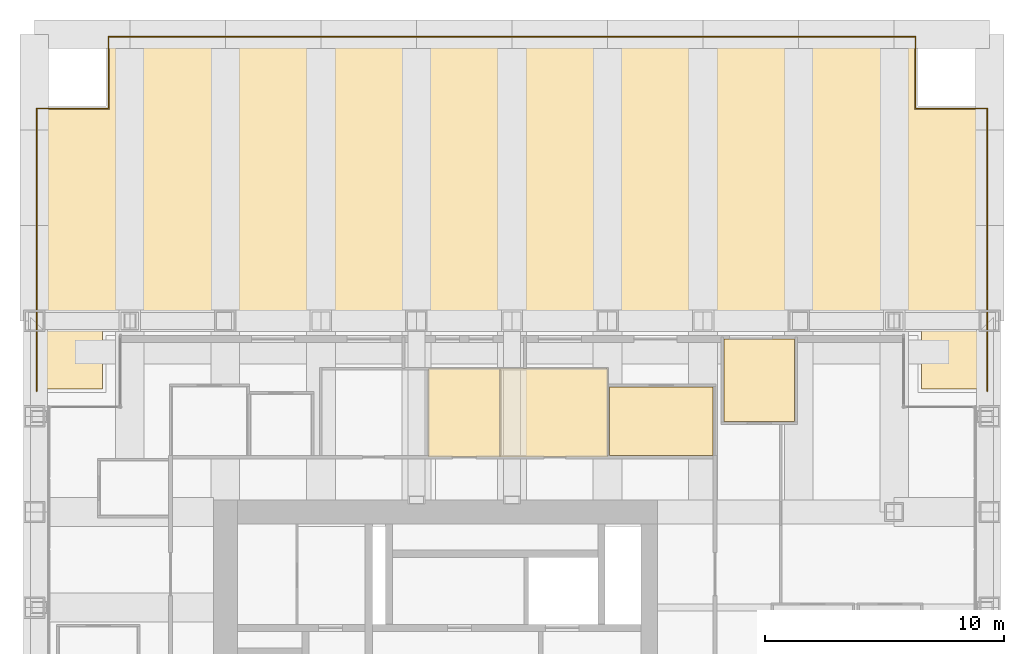
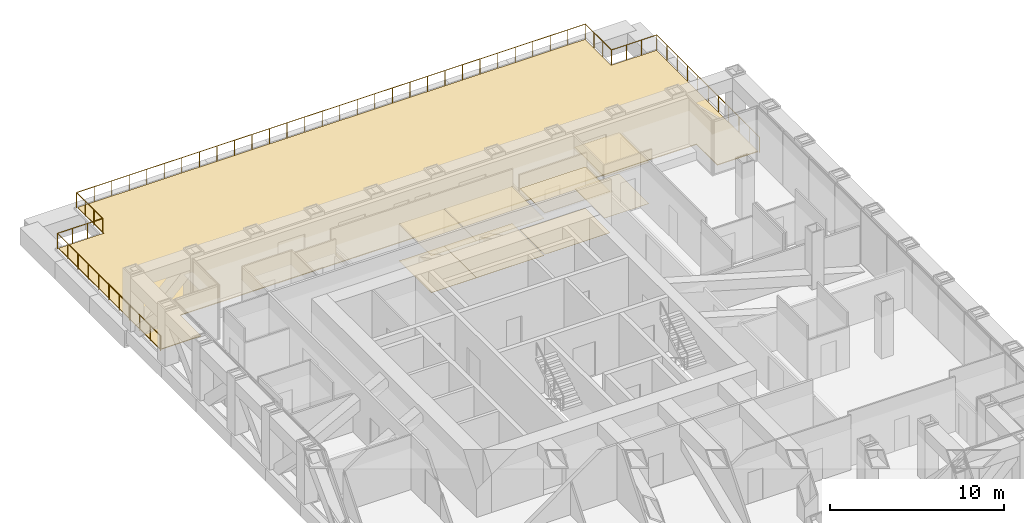
# One storey, part 16 of 17: 9 coverings, 1 railing.
"""IFC4 building model written with IfcOpenShell, lengths in metres."""

from ifc_helpers import new_model, si_unit, direction, frame, origin, origin_2d, place, context, subcontext, project, spatial, polyline, circle, outline, extrude, material, layer, layer_set, type_object, element, save


model = new_model("IFC4")

# Units and contexts
model_context = context("Model", 3, precision=1e-05, world=origin(), true_north=direction((0.0, 1.0)))
body_context = subcontext(model_context, "Body", "Model", "MODEL_VIEW")
ifc_project = project(units=[si_unit("LENGTHUNIT", "METRE"), si_unit("AREAUNIT", "SQUARE_METRE"), si_unit("VOLUMEUNIT", "CUBIC_METRE"), si_unit("PLANEANGLEUNIT", "RADIAN"), si_unit("MASSUNIT", "GRAM", prefix="KILO")], contexts=[model_context])

# Site, building, storey
site_placement = place(None, origin())
site = spatial("IfcSite", under=ifc_project, at=site_placement, CompositionType="ELEMENT")
building_placement = place(site_placement, origin())
building = spatial("IfcBuilding", under=site, at=building_placement, Name="Rimbunsela Tower", CompositionType="ELEMENT")
storey_placement = place(building_placement, frame((0.0, 0.0, 238.199951171875)))
storey = spatial("IfcBuildingStorey", under=building, at=storey_placement, Name="L57", CompositionType="ELEMENT", Elevation=238.199951171875)

# Coverings
ifc_material_1 = material(Name="Nylon carpet tile", Category="textile")
ifc_layer_1 = layer(ifc_material_1, 0.010009765625)
ifc_layer_set_1 = layer_set([ifc_layer_1], Name="Carpet tile 10")
covering_type_1 = type_object("IfcCoveringType", Name="Carpet tile 10", PredefinedType="FLOORING", material=ifc_layer_set_1)
covering_1_placement = place(storey_placement, origin())
element("IfcCovering", 1, at=covering_1_placement, inside=storey, type_object=covering_type_1, Name="Floor finish Interview room", PredefinedType="FLOORING", context=body_context, shape_type="SweptSolid", body=[
    extrude(outline(polyline([(38.425048828125, 38.375), (38.425048828125, 41.22509765625), (34.074951171875, 41.22509765625), (34.074951171875, 38.375), (38.425048828125, 38.375)])), origin(), (0.0, 0.0, 1.0), 0.010009765625),
])
covering_2_placement = place(storey_placement, origin())
element("IfcCovering", 2, at=covering_2_placement, inside=storey, type_object=covering_type_1, Name="Floor finish Office", PredefinedType="FLOORING", context=body_context, shape_type="SweptSolid", body=[
    extrude(outline(polyline([(41.824951171875, 39.794921875), (41.824951171875, 43.2451171875), (38.875, 43.2451171875), (38.875, 39.794921875), (41.824951171875, 39.794921875)])), origin(), (0.0, 0.0, 1.0), 0.010009765625),
])
ifc_material_2 = material(Name="Mineral fibre ceiling tile", Category="gypsum")
ifc_layer_2 = layer(ifc_material_2, 0.02001953125)
ifc_layer_set_2 = layer_set([ifc_layer_2], Name="Ceiling 600 grid")
covering_type_2 = type_object("IfcCoveringType", Name="Ceiling 600 grid", PredefinedType="CEILING", material=ifc_layer_set_2)
covering_3_placement = place(storey_placement, frame((0.0, 0.0, 2.900146484375)))
element("IfcCovering", 3, at=covering_3_placement, inside=storey, type_object=covering_type_2, Name="Ceiling Interview room", PredefinedType="CEILING", context=body_context, shape_type="SweptSolid", body=[
    extrude(outline(polyline([(38.425048828125, 38.375), (38.425048828125, 41.22509765625), (34.074951171875, 41.22509765625), (34.074951171875, 38.375), (38.425048828125, 38.375)])), origin(), (0.0, 0.0, 1.0), 0.02001953125),
])
covering_4_placement = place(storey_placement, frame((0.0, 0.0, 2.900146484375)))
element("IfcCovering", 4, at=covering_4_placement, inside=storey, type_object=covering_type_2, Name="Ceiling Office", PredefinedType="CEILING", context=body_context, shape_type="SweptSolid", body=[
    extrude(outline(polyline([(41.824951171875, 39.794921875), (41.824951171875, 43.2451171875), (38.875, 43.2451171875), (38.875, 39.794921875), (41.824951171875, 39.794921875)])), origin(), (0.0, 0.0, 1.0), 0.02001953125),
])
ifc_material_3 = material(Name="Moisture-resistant plasterboard ceiling", Category="gypsum")
ifc_layer_3 = layer(ifc_material_3, 0.012451171875)
ifc_layer_set_3 = layer_set([ifc_layer_3], Name="Ceiling moisture-resistant board")
covering_type_3 = type_object("IfcCoveringType", Name="Ceiling moisture-resistant board", PredefinedType="CEILING", material=ifc_layer_set_3)
covering_5_placement = place(storey_placement, frame((0.0, 0.0, 2.60009765625)))
element("IfcCovering", 5, at=covering_5_placement, inside=storey, type_object=covering_type_3, Name="Ceiling Accessible WC", PredefinedType="CEILING", context=body_context, shape_type="SweptSolid", body=[
    extrude(outline(polyline([(29.5, 38.300048828125), (29.5, 42.0), (26.5, 42.0), (26.5, 38.300048828125), (29.5, 38.300048828125)])), origin(), (0.0, 0.0, 1.0), 0.02001953125),
])
covering_6_placement = place(storey_placement, frame((0.0, 0.0, 2.60009765625)))
element("IfcCovering", 6, at=covering_6_placement, inside=storey, type_object=covering_type_3, Name="Ceiling Male WC", PredefinedType="CEILING", context=body_context, shape_type="SweptSolid", body=[
    extrude(outline(polyline([(34.0, 38.300048828125), (34.0, 42.0), (29.5, 42.0), (29.5, 38.300048828125), (34.0, 38.300048828125)])), origin(), (0.0, 0.0, 1.0), 0.02001953125),
])
ifc_material_4 = material(Name="Porcelain floor tile in adhesive bed", Category="ceramic")
ifc_layer_4 = layer(ifc_material_4, 0.02001953125)
ifc_layer_set_4 = layer_set([ifc_layer_4], Name="Porcelain tile 20")
covering_type_4 = type_object("IfcCoveringType", Name="Porcelain tile 20", PredefinedType="FLOORING", material=ifc_layer_set_4)
covering_7_placement = place(storey_placement, origin())
element("IfcCovering", 7, at=covering_7_placement, inside=storey, type_object=covering_type_4, Name="Floor finish Accessible WC", PredefinedType="FLOORING", context=body_context, shape_type="SweptSolid", body=[
    extrude(outline(polyline([(29.5, 38.300048828125), (29.5, 42.0), (26.5, 42.0), (26.5, 38.300048828125), (29.5, 38.300048828125)])), origin(), (0.0, 0.0, 1.0), 0.02001953125),
])
covering_8_placement = place(storey_placement, origin())
element("IfcCovering", 8, at=covering_8_placement, inside=storey, type_object=covering_type_4, Name="Floor finish Male WC", PredefinedType="FLOORING", context=body_context, shape_type="SweptSolid", body=[
    extrude(outline(polyline([(34.0, 38.300048828125), (34.0, 42.0), (29.5, 42.0), (29.5, 38.300048828125), (34.0, 38.300048828125)])), origin(), (0.0, 0.0, 1.0), 0.02001953125),
])

# Railing
ifc_material_5 = material(Name="Laminated glass balustrade", Category="glass")
railing_type = type_object("IfcRailingType", Name="Terrace guard 1100", PredefinedType="GUARDRAIL", material=ifc_material_5)
railing_placement = place(storey_placement, frame((10.10009765625, 41.050048828125, 0.0)))
element("IfcRailing", 9, at=railing_placement, inside=storey, type_object=railing_type, Name="Terrace guard L57", PredefinedType="GUARDRAIL", context=body_context, shape_type="SweptSolid", body=[
    extrude(circle(Radius=0.02392578125, at=origin_2d()), frame((0.0, 0.0, 1.076171875), z_axis=(0.0, 1.0, 0.0), x_axis=(-1.0, 0.0, 0.0)), (0.0, 0.0, 1.0), 11.849853515625),
    extrude(circle(Radius=0.02392578125, at=origin_2d()), frame((0.0, 11.849853515625, 1.076171875), z_axis=(1.0, 0.0, 0.0), x_axis=(0.0, 1.0, 0.0)), (0.0, 0.0, 1.0), 3.0),
    extrude(circle(Radius=0.02392578125, at=origin_2d()), frame((3.0, 11.849853515625, 1.076171875), z_axis=(0.0, 1.0, 0.0), x_axis=(-1.0, 0.0, 0.0)), (0.0, 0.0, 1.0), 3.0),
    extrude(circle(Radius=0.02392578125, at=origin_2d()), frame((3.0, 14.849853515625, 1.076171875), z_axis=(1.0, 0.0, 0.0), x_axis=(0.0, 1.0, 0.0)), (0.0, 0.0, 1.0), 33.7998046875),
    extrude(circle(Radius=0.02392578125, at=origin_2d()), frame((36.7998046875, 14.849853515625, 1.076171875), z_axis=(0.0, -1.0, 0.0), x_axis=(1.0, 0.0, 0.0)), (0.0, 0.0, 1.0), 3.0),
    extrude(circle(Radius=0.02392578125, at=origin_2d()), frame((36.7998046875, 11.849853515625, 1.076171875), z_axis=(1.0, 0.0, 0.0), x_axis=(0.0, 1.0, 0.0)), (0.0, 0.0, 1.0), 3.0),
    extrude(circle(Radius=0.02392578125, at=origin_2d()), frame((39.7998046875, 11.849853515625, 1.076171875), z_axis=(0.0, -1.0, 0.0), x_axis=(1.0, 0.0, 0.0)), (0.0, 0.0, 1.0), 11.849853515625),
    extrude(circle(Radius=0.02099609375, at=origin_2d()), origin(), (0.0, 0.0, 1.0), 1.052001953125),
    extrude(circle(Radius=0.02099609375, at=origin_2d()), frame((0.0, 1.18505859375, 0.0)), (0.0, 0.0, 1.0), 1.052001953125),
    extrude(circle(Radius=0.02099609375, at=origin_2d()), frame((0.0, 2.369873046875, 0.0)), (0.0, 0.0, 1.0), 1.052001953125),
    extrude(circle(Radius=0.02099609375, at=origin_2d()), frame((0.0, 3.554931640625, 0.0)), (0.0, 0.0, 1.0), 1.052001953125),
    extrude(circle(Radius=0.02099609375, at=origin_2d()), frame((0.0, 4.739990234375, 0.0)), (0.0, 0.0, 1.0), 1.052001953125),
    extrude(circle(Radius=0.02099609375, at=origin_2d()), frame((0.0, 5.9248046875, 0.0)), (0.0, 0.0, 1.0), 1.052001953125),
    extrude(circle(Radius=0.02099609375, at=origin_2d()), frame((0.0, 7.10986328125, 0.0)), (0.0, 0.0, 1.0), 1.052001953125),
    extrude(circle(Radius=0.02099609375, at=origin_2d()), frame((0.0, 8.294921875, 0.0)), (0.0, 0.0, 1.0), 1.052001953125),
    extrude(circle(Radius=0.02099609375, at=origin_2d()), frame((0.0, 9.47998046875, 0.0)), (0.0, 0.0, 1.0), 1.052001953125),
    extrude(circle(Radius=0.02099609375, at=origin_2d()), frame((0.0, 10.664794921875, 0.0)), (0.0, 0.0, 1.0), 1.052001953125),
    extrude(circle(Radius=0.02099609375, at=origin_2d()), frame((0.0, 11.849853515625, 0.0)), (0.0, 0.0, 1.0), 1.052001953125),
    extrude(circle(Radius=0.02099609375, at=origin_2d()), frame((1.0, 11.849853515625, 0.0)), (0.0, 0.0, 1.0), 1.052001953125),
    extrude(circle(Radius=0.02099609375, at=origin_2d()), frame((2.0, 11.849853515625, 0.0)), (0.0, 0.0, 1.0), 1.052001953125),
    extrude(circle(Radius=0.02099609375, at=origin_2d()), frame((3.0, 11.849853515625, 0.0)), (0.0, 0.0, 1.0), 1.052001953125),
    extrude(circle(Radius=0.02099609375, at=origin_2d()), frame((3.0, 12.849853515625, 0.0)), (0.0, 0.0, 1.0), 1.052001953125),
    extrude(circle(Radius=0.02099609375, at=origin_2d()), frame((3.0, 13.849853515625, 0.0)), (0.0, 0.0, 1.0), 1.052001953125),
    extrude(circle(Radius=0.02099609375, at=origin_2d()), frame((3.0, 14.849853515625, 0.0)), (0.0, 0.0, 1.0), 1.052001953125),
    extrude(circle(Radius=0.02099609375, at=origin_2d()), frame((4.16552734375, 14.849853515625, 0.0)), (0.0, 0.0, 1.0), 1.052001953125),
    extrude(circle(Radius=0.02099609375, at=origin_2d()), frame((5.3310546875, 14.849853515625, 0.0)), (0.0, 0.0, 1.0), 1.052001953125),
    extrude(circle(Radius=0.02099609375, at=origin_2d()), frame((6.49658203125, 14.849853515625, 0.0)), (0.0, 0.0, 1.0), 1.052001953125),
    extrude(circle(Radius=0.02099609375, at=origin_2d()), frame((7.662109375, 14.849853515625, 0.0)), (0.0, 0.0, 1.0), 1.052001953125),
    extrude(circle(Radius=0.02099609375, at=origin_2d()), frame((8.82763671875, 14.849853515625, 0.0)), (0.0, 0.0, 1.0), 1.052001953125),
    extrude(circle(Radius=0.02099609375, at=origin_2d()), frame((9.9931640625, 14.849853515625, 0.0)), (0.0, 0.0, 1.0), 1.052001953125),
    extrude(circle(Radius=0.02099609375, at=origin_2d()), frame((11.15869140625, 14.849853515625, 0.0)), (0.0, 0.0, 1.0), 1.052001953125),
    extrude(circle(Radius=0.02099609375, at=origin_2d()), frame((12.323974609375, 14.849853515625, 0.0)), (0.0, 0.0, 1.0), 1.052001953125),
    extrude(circle(Radius=0.02099609375, at=origin_2d()), frame((13.489501953125, 14.849853515625, 0.0)), (0.0, 0.0, 1.0), 1.052001953125),
    extrude(circle(Radius=0.02099609375, at=origin_2d()), frame((14.655029296875, 14.849853515625, 0.0)), (0.0, 0.0, 1.0), 1.052001953125),
    extrude(circle(Radius=0.02099609375, at=origin_2d()), frame((15.820556640625, 14.849853515625, 0.0)), (0.0, 0.0, 1.0), 1.052001953125),
    extrude(circle(Radius=0.02099609375, at=origin_2d()), frame((16.986083984375, 14.849853515625, 0.0)), (0.0, 0.0, 1.0), 1.052001953125),
    extrude(circle(Radius=0.02099609375, at=origin_2d()), frame((18.151611328125, 14.849853515625, 0.0)), (0.0, 0.0, 1.0), 1.052001953125),
    extrude(circle(Radius=0.02099609375, at=origin_2d()), frame((19.317138671875, 14.849853515625, 0.0)), (0.0, 0.0, 1.0), 1.052001953125),
    extrude(circle(Radius=0.02099609375, at=origin_2d()), frame((20.482666015625, 14.849853515625, 0.0)), (0.0, 0.0, 1.0), 1.052001953125),
    extrude(circle(Radius=0.02099609375, at=origin_2d()), frame((21.648193359375, 14.849853515625, 0.0)), (0.0, 0.0, 1.0), 1.052001953125),
    extrude(circle(Radius=0.02099609375, at=origin_2d()), frame((22.813720703125, 14.849853515625, 0.0)), (0.0, 0.0, 1.0), 1.052001953125),
    extrude(circle(Radius=0.02099609375, at=origin_2d()), frame((23.979248046875, 14.849853515625, 0.0)), (0.0, 0.0, 1.0), 1.052001953125),
    extrude(circle(Radius=0.02099609375, at=origin_2d()), frame((25.144775390625, 14.849853515625, 0.0)), (0.0, 0.0, 1.0), 1.052001953125),
    extrude(circle(Radius=0.02099609375, at=origin_2d()), frame((26.310302734375, 14.849853515625, 0.0)), (0.0, 0.0, 1.0), 1.052001953125),
    extrude(circle(Radius=0.02099609375, at=origin_2d()), frame((27.475830078125, 14.849853515625, 0.0)), (0.0, 0.0, 1.0), 1.052001953125),
    extrude(circle(Radius=0.02099609375, at=origin_2d()), frame((28.64111328125, 14.849853515625, 0.0)), (0.0, 0.0, 1.0), 1.052001953125),
    extrude(circle(Radius=0.02099609375, at=origin_2d()), frame((29.806640625, 14.849853515625, 0.0)), (0.0, 0.0, 1.0), 1.052001953125),
    extrude(circle(Radius=0.02099609375, at=origin_2d()), frame((30.97216796875, 14.849853515625, 0.0)), (0.0, 0.0, 1.0), 1.052001953125),
    extrude(circle(Radius=0.02099609375, at=origin_2d()), frame((32.1376953125, 14.849853515625, 0.0)), (0.0, 0.0, 1.0), 1.052001953125),
    extrude(circle(Radius=0.02099609375, at=origin_2d()), frame((33.30322265625, 14.849853515625, 0.0)), (0.0, 0.0, 1.0), 1.052001953125),
    extrude(circle(Radius=0.02099609375, at=origin_2d()), frame((34.46875, 14.849853515625, 0.0)), (0.0, 0.0, 1.0), 1.052001953125),
    extrude(circle(Radius=0.02099609375, at=origin_2d()), frame((35.63427734375, 14.849853515625, 0.0)), (0.0, 0.0, 1.0), 1.052001953125),
    extrude(circle(Radius=0.02099609375, at=origin_2d()), frame((36.7998046875, 14.849853515625, 0.0)), (0.0, 0.0, 1.0), 1.052001953125),
    extrude(circle(Radius=0.02099609375, at=origin_2d()), frame((36.7998046875, 13.849853515625, 0.0)), (0.0, 0.0, 1.0), 1.052001953125),
    extrude(circle(Radius=0.02099609375, at=origin_2d()), frame((36.7998046875, 12.849853515625, 0.0)), (0.0, 0.0, 1.0), 1.052001953125),
    extrude(circle(Radius=0.02099609375, at=origin_2d()), frame((36.7998046875, 11.849853515625, 0.0)), (0.0, 0.0, 1.0), 1.052001953125),
    extrude(circle(Radius=0.02099609375, at=origin_2d()), frame((37.7998046875, 11.849853515625, 0.0)), (0.0, 0.0, 1.0), 1.052001953125),
    extrude(circle(Radius=0.02099609375, at=origin_2d()), frame((38.7998046875, 11.849853515625, 0.0)), (0.0, 0.0, 1.0), 1.052001953125),
    extrude(circle(Radius=0.02099609375, at=origin_2d()), frame((39.7998046875, 11.849853515625, 0.0)), (0.0, 0.0, 1.0), 1.052001953125),
    extrude(circle(Radius=0.02099609375, at=origin_2d()), frame((39.7998046875, 10.664794921875, 0.0)), (0.0, 0.0, 1.0), 1.052001953125),
    extrude(circle(Radius=0.02099609375, at=origin_2d()), frame((39.7998046875, 9.47998046875, 0.0)), (0.0, 0.0, 1.0), 1.052001953125),
    extrude(circle(Radius=0.02099609375, at=origin_2d()), frame((39.7998046875, 8.294921875, 0.0)), (0.0, 0.0, 1.0), 1.052001953125),
    extrude(circle(Radius=0.02099609375, at=origin_2d()), frame((39.7998046875, 7.10986328125, 0.0)), (0.0, 0.0, 1.0), 1.052001953125),
    extrude(circle(Radius=0.02099609375, at=origin_2d()), frame((39.7998046875, 5.9248046875, 0.0)), (0.0, 0.0, 1.0), 1.052001953125),
    extrude(circle(Radius=0.02099609375, at=origin_2d()), frame((39.7998046875, 4.739990234375, 0.0)), (0.0, 0.0, 1.0), 1.052001953125),
    extrude(circle(Radius=0.02099609375, at=origin_2d()), frame((39.7998046875, 3.554931640625, 0.0)), (0.0, 0.0, 1.0), 1.052001953125),
    extrude(circle(Radius=0.02099609375, at=origin_2d()), frame((39.7998046875, 2.369873046875, 0.0)), (0.0, 0.0, 1.0), 1.052001953125),
    extrude(circle(Radius=0.02099609375, at=origin_2d()), frame((39.7998046875, 1.18505859375, 0.0)), (0.0, 0.0, 1.0), 1.052001953125),
    extrude(circle(Radius=0.02099609375, at=origin_2d()), frame((39.7998046875, 0.0, 0.0)), (0.0, 0.0, 1.0), 1.052001953125),
])

# Covering
ifc_material_6 = material(Name="Porcelain paving on pedestals", Category="masonry")
ifc_layer_5 = layer(ifc_material_6, 0.050048828125)
ifc_layer_set_5 = layer_set([ifc_layer_5], Name="Terrace paving 50")
covering_type_5 = type_object("IfcCoveringType", Name="Terrace paving 50", PredefinedType="FLOORING", material=ifc_layer_set_5)
covering_9_placement = place(storey_placement, origin())
element("IfcCovering", 10, at=covering_9_placement, inside=storey, type_object=covering_type_5, Name="Terrace paving L57", PredefinedType="FLOORING", context=body_context, shape_type="SweptSolid", body=[
    extrude(outline(polyline([(10.14990234375, 52.85009765625), (13.14990234375, 52.85009765625), (13.14990234375, 55.85009765625), (46.85009765625, 55.85009765625), (46.85009765625, 52.85009765625), (49.85009765625, 52.85009765625), (49.85009765625, 41.14990234375), (47.14990234375, 41.14990234375), (47.14990234375, 43.550048828125), (12.85009765625, 43.550048828125), (12.85009765625, 41.14990234375), (10.14990234375, 41.14990234375), (10.14990234375, 52.85009765625)])), origin(), (0.0, 0.0, 1.0), 0.050048828125),
])

save(model, "model.ifc")
